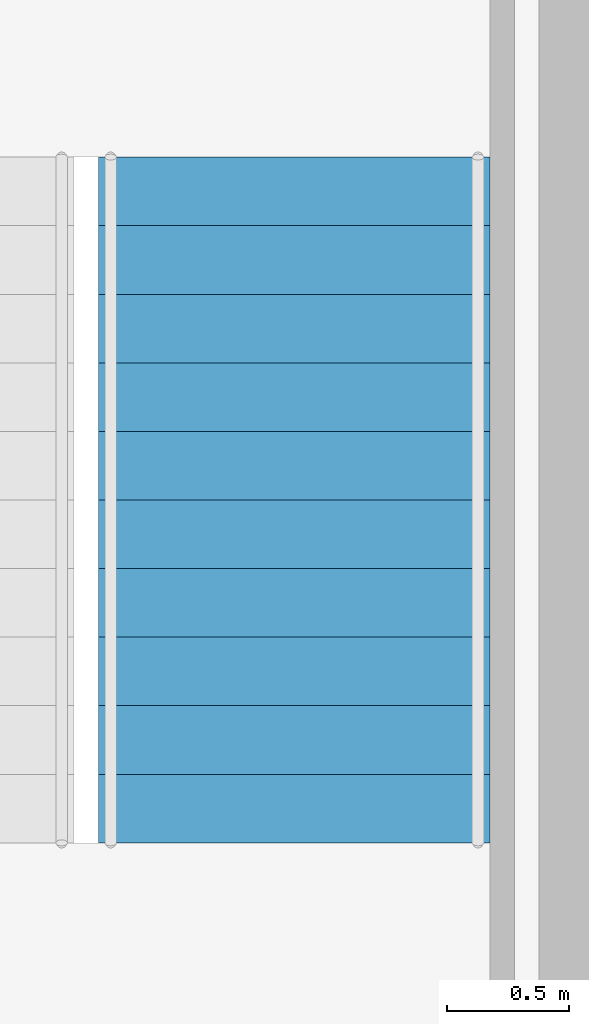
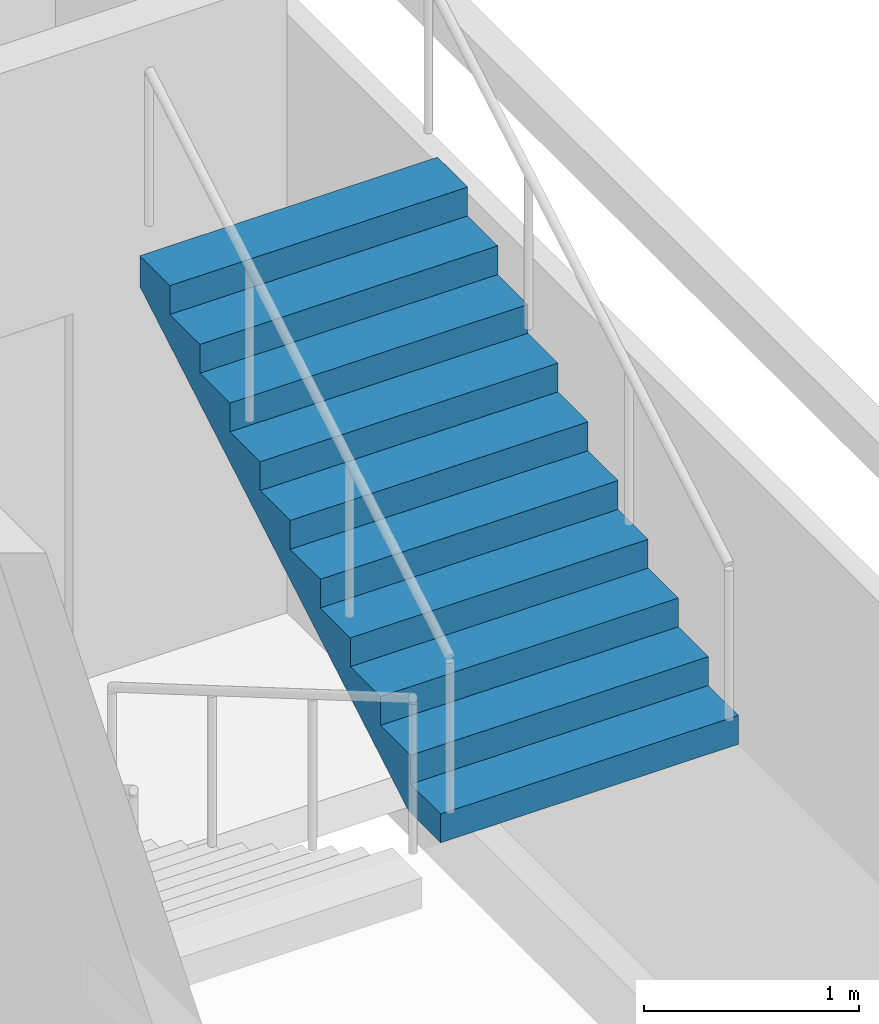
# One storey, part 10 of 11: 1 stair flight, 1 element without a shape of its own.
"""IFC4 building model written with IfcOpenShell, lengths in metres."""

from ifc_helpers import new_model, si_unit, direction, frame, origin, place, context, subcontext, project, spatial, polyline, outline, extrude, material, type_object, element, aggregate, save


model = new_model("IFC4")

# Units and contexts
model_context = context("Model", 3, precision=1e-05, world=origin(), true_north=direction((0.0, 1.0)))
body_context = subcontext(model_context, "Body", "Model", "MODEL_VIEW")
ifc_project = project(units=[si_unit("LENGTHUNIT", "METRE"), si_unit("AREAUNIT", "SQUARE_METRE"), si_unit("VOLUMEUNIT", "CUBIC_METRE"), si_unit("PLANEANGLEUNIT", "RADIAN"), si_unit("MASSUNIT", "GRAM", prefix="KILO")], contexts=[model_context])

# Site, building, storey
site_placement = place(None, origin())
site = spatial("IfcSite", under=ifc_project, at=site_placement, CompositionType="ELEMENT")
building_placement = place(site_placement, origin())
building = spatial("IfcBuilding", under=site, at=building_placement, Name="Lilac Gate Convention Centre", CompositionType="ELEMENT")
storey_placement = place(building_placement, frame((0.0, 0.0, 60.60009765625)))
storey = spatial("IfcBuildingStorey", under=building, at=storey_placement, Name="L15", CompositionType="ELEMENT", Elevation=60.60009765625)

# Stair, stair flight
ifc_material = material(Name="Concrete C40", Category="concrete")
stair_type = type_object("IfcStairType", Name="Exit stair", PredefinedType="DOUBLE_RETURN_STAIR", material=ifc_material)
stair_placement = place(storey_placement, origin())
stair = element("IfcStair", 1, at=stair_placement, inside=storey, type_object=stair_type, Name="Exit stair SE L15", PredefinedType="DOUBLE_RETURN_STAIR")
stair_flight_type = type_object("IfcStairFlightType", Name="Exit stair flight", PredefinedType="STRAIGHT", material=ifc_material)
stair_flight_placement = place(storey_placement, frame((88.699951171875, 225.300048828125, 1.7998046875), z_axis=(0.0, 0.0, 1.0), x_axis=(0.0, 1.0, 0.0)))
stair_flight = element("IfcStairFlight", 2, at=stair_flight_placement, type_object=stair_flight_type, Name="ST-SE flight 2", NumberOfRisers=11, NumberOfTreads=10, PredefinedType="STRAIGHT", RiserHeight=0.163636364, TreadLength=0.28, context=body_context, shape_type="SweptSolid", body=[
    extrude(outline(polyline([(0.0, 0.0), (0.0, 0.16357421875), (0.280029296875, 0.16357421875), (0.280029296875, 0.327392578125), (0.56005859375, 0.327392578125), (0.56005859375, 0.490966796875), (0.840087890625, 0.490966796875), (0.840087890625, 0.654541015625), (1.1201171875, 0.654541015625), (1.1201171875, 0.818115234375), (1.39990234375, 0.818115234375), (1.39990234375, 0.98193359375), (1.679931640625, 0.98193359375), (1.679931640625, 1.1455078125), (1.9599609375, 1.1455078125), (1.9599609375, 1.30908203125), (2.239990234375, 1.30908203125), (2.239990234375, 1.47265625), (2.52001953125, 1.47265625), (2.52001953125, 1.636474609375), (2.800048828125, 1.636474609375), (2.800048828125, 1.800048828125), (2.800048828125, 1.462646484375), (0.297119140625, 0.0), (0.0, 0.0)])), frame((0.0, 0.800048828125, 0.0), z_axis=(0.0, -1.0, 0.0), x_axis=(1.0, 0.0, 0.0)), (0.0, 0.0, 1.0), 1.60009765625),
])
aggregate(stair, [stair_flight])

save(model, "model.ifc")
